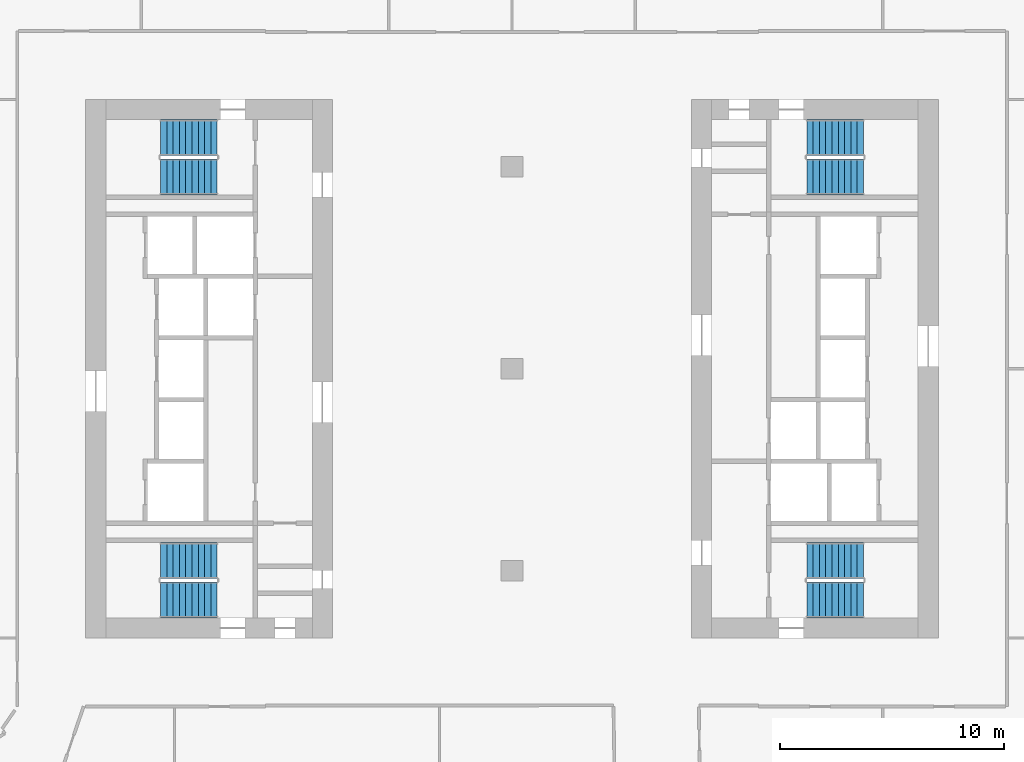
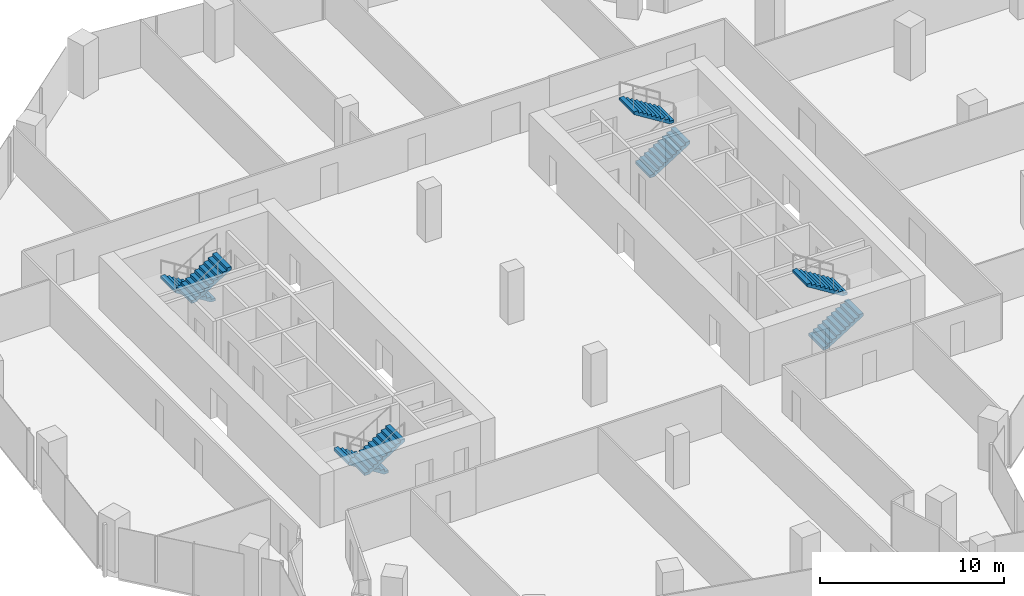
# One storey, part 23 of 24: 8 stair flights, 4 elements without a shape of their own.
"""IFC4 building model written with IfcOpenShell, lengths in metres."""

from ifc_helpers import new_model, si_unit, direction, frame, origin, place, context, subcontext, project, spatial, polyline, outline, extrude, material, type_object, element, aggregate, save


model = new_model("IFC4")

# Units and contexts
model_context = context("Model", 3, precision=1e-05, world=origin(), true_north=direction((0.0, 1.0)))
body_context = subcontext(model_context, "Body", "Model", "MODEL_VIEW")
ifc_project = project(units=[si_unit("LENGTHUNIT", "METRE"), si_unit("AREAUNIT", "SQUARE_METRE"), si_unit("VOLUMEUNIT", "CUBIC_METRE"), si_unit("PLANEANGLEUNIT", "RADIAN"), si_unit("MASSUNIT", "GRAM", prefix="KILO")], contexts=[model_context])

# Site, building, storey
site_placement = place(None, origin())
site = spatial("IfcSite", under=ifc_project, at=site_placement, CompositionType="ELEMENT")
building_placement = place(site_placement, origin())
building = spatial("IfcBuilding", under=site, at=building_placement, Name="Orlundy Tower", CompositionType="ELEMENT")
storey_placement = place(building_placement, frame((0.0, 0.0, 174.10009765625)))
storey = spatial("IfcBuildingStorey", under=building, at=storey_placement, Name="L45", CompositionType="ELEMENT", Elevation=174.10009765625)

# Stair, stair flights
ifc_material_1 = material(Name="Concrete C50/60", Category="concrete")
stair_type = type_object("IfcStairType", Name="Exit Stair 20 risers", PredefinedType="HALF_TURN_STAIR", material=ifc_material_1)
stair_1_placement = place(storey_placement, origin())
stair_1 = element("IfcStair", 1, at=stair_1_placement, inside=storey, type_object=stair_type, Name="L45 Exit Stair ST-W1", PredefinedType="HALF_TURN_STAIR")
ifc_material_2 = material(Name="Concrete C50/60", Category="concrete")
stair_flight_type = type_object("IfcStairFlightType", Name="Stair Flight 10 risers", PredefinedType="STRAIGHT", material=ifc_material_2)
stair_flight_1_placement = place(storey_placement, frame((-13.139892578125, 10.300048828125, 0.0), z_axis=(0.0, 0.0, 1.0), x_axis=(-1.0, 0.0, 0.0)))
stair_flight_1 = element("IfcStairFlight", 2, at=stair_flight_1_placement, type_object=stair_flight_type, Name="ST-W1 flight 1", NumberOfRisers=10, NumberOfTreads=9, PredefinedType="STRAIGHT", RiserHeight=0.175, TreadLength=0.28, context=body_context, shape_type="SweptSolid", body=[
    extrude(outline(polyline([(0.0, 0.0), (0.0, 0.175048828125), (0.280029296875, 0.175048828125), (0.280029296875, 0.35009765625), (0.56005859375, 0.35009765625), (0.56005859375, 0.52490234375), (0.840087890625, 0.52490234375), (0.840087890625, 0.699951171875), (1.1201171875, 0.699951171875), (1.1201171875, 0.875), (1.39990234375, 0.875), (1.39990234375, 1.050048828125), (1.679931640625, 1.050048828125), (1.679931640625, 1.22509765625), (1.9599609375, 1.22509765625), (1.9599609375, 1.39990234375), (2.239990234375, 1.39990234375), (2.239990234375, 1.574951171875), (2.52001953125, 1.574951171875), (2.52001953125, 1.75), (2.52001953125, 1.398193359375), (0.28271484375, 0.0), (0.0, 0.0)])), frame((0.0, 0.800048828125, 0.0), z_axis=(0.0, -1.0, 0.0), x_axis=(1.0, 0.0, 0.0)), (0.0, 0.0, 1.0), 1.60009765625),
])
stair_flight_2_placement = place(storey_placement, frame((-15.659912109375, 8.550048828125, 1.75), z_axis=(0.0, 0.0, 1.0), x_axis=(1.0, 0.0, 0.0)))
stair_flight_2 = element("IfcStairFlight", 3, at=stair_flight_2_placement, type_object=stair_flight_type, Name="ST-W1 flight 2", NumberOfRisers=10, NumberOfTreads=9, PredefinedType="STRAIGHT", RiserHeight=0.175, TreadLength=0.28, context=body_context, shape_type="SweptSolid", body=[
    extrude(outline(polyline([(0.0, 0.0), (0.0, 0.175048828125), (0.280029296875, 0.175048828125), (0.280029296875, 0.35009765625), (0.56005859375, 0.35009765625), (0.56005859375, 0.52490234375), (0.840087890625, 0.52490234375), (0.840087890625, 0.699951171875), (1.1201171875, 0.699951171875), (1.1201171875, 0.875), (1.39990234375, 0.875), (1.39990234375, 1.050048828125), (1.679931640625, 1.050048828125), (1.679931640625, 1.22509765625), (1.9599609375, 1.22509765625), (1.9599609375, 1.39990234375), (2.239990234375, 1.39990234375), (2.239990234375, 1.574951171875), (2.52001953125, 1.574951171875), (2.52001953125, 1.75), (2.52001953125, 1.398193359375), (0.28271484375, 0.0), (0.0, 0.0)])), frame((0.0, 0.800048828125, 0.0), z_axis=(0.0, -1.0, 0.0), x_axis=(1.0, 0.0, 0.0)), (0.0, 0.0, 1.0), 1.60009765625),
])
aggregate(stair_1, [stair_flight_1, stair_flight_2])

stair_2_placement = place(storey_placement, origin())
stair_2 = element("IfcStair", 4, at=stair_2_placement, inside=storey, type_object=stair_type, Name="L45 Exit Stair ST-W2", PredefinedType="HALF_TURN_STAIR")
stair_flight_3_placement = place(storey_placement, frame((-13.139892578125, -8.550048828125, 0.0), z_axis=(0.0, 0.0, 1.0), x_axis=(-1.0, 0.0, 0.0)))
stair_flight_3 = element("IfcStairFlight", 5, at=stair_flight_3_placement, type_object=stair_flight_type, Name="ST-W2 flight 1", NumberOfRisers=10, NumberOfTreads=9, PredefinedType="STRAIGHT", RiserHeight=0.175, TreadLength=0.28, context=body_context, shape_type="SweptSolid", body=[
    extrude(outline(polyline([(0.0, 0.0), (0.0, 0.175048828125), (0.280029296875, 0.175048828125), (0.280029296875, 0.35009765625), (0.56005859375, 0.35009765625), (0.56005859375, 0.52490234375), (0.840087890625, 0.52490234375), (0.840087890625, 0.699951171875), (1.1201171875, 0.699951171875), (1.1201171875, 0.875), (1.39990234375, 0.875), (1.39990234375, 1.050048828125), (1.679931640625, 1.050048828125), (1.679931640625, 1.22509765625), (1.9599609375, 1.22509765625), (1.9599609375, 1.39990234375), (2.239990234375, 1.39990234375), (2.239990234375, 1.574951171875), (2.52001953125, 1.574951171875), (2.52001953125, 1.75), (2.52001953125, 1.398193359375), (0.28271484375, 0.0), (0.0, 0.0)])), frame((0.0, 0.800048828125, 0.0), z_axis=(0.0, -1.0, 0.0), x_axis=(1.0, 0.0, 0.0)), (0.0, 0.0, 1.0), 1.60009765625),
])
stair_flight_4_placement = place(storey_placement, frame((-15.659912109375, -10.300048828125, 1.75), z_axis=(0.0, 0.0, 1.0), x_axis=(1.0, 0.0, 0.0)))
stair_flight_4 = element("IfcStairFlight", 6, at=stair_flight_4_placement, type_object=stair_flight_type, Name="ST-W2 flight 2", NumberOfRisers=10, NumberOfTreads=9, PredefinedType="STRAIGHT", RiserHeight=0.175, TreadLength=0.28, context=body_context, shape_type="SweptSolid", body=[
    extrude(outline(polyline([(0.0, 0.0), (0.0, 0.175048828125), (0.280029296875, 0.175048828125), (0.280029296875, 0.35009765625), (0.56005859375, 0.35009765625), (0.56005859375, 0.52490234375), (0.840087890625, 0.52490234375), (0.840087890625, 0.699951171875), (1.1201171875, 0.699951171875), (1.1201171875, 0.875), (1.39990234375, 0.875), (1.39990234375, 1.050048828125), (1.679931640625, 1.050048828125), (1.679931640625, 1.22509765625), (1.9599609375, 1.22509765625), (1.9599609375, 1.39990234375), (2.239990234375, 1.39990234375), (2.239990234375, 1.574951171875), (2.52001953125, 1.574951171875), (2.52001953125, 1.75), (2.52001953125, 1.398193359375), (0.28271484375, 0.0), (0.0, 0.0)])), frame((0.0, 0.800048828125, 0.0), z_axis=(0.0, -1.0, 0.0), x_axis=(1.0, 0.0, 0.0)), (0.0, 0.0, 1.0), 1.60009765625),
])
aggregate(stair_2, [stair_flight_3, stair_flight_4])

stair_3_placement = place(storey_placement, origin())
stair_3 = element("IfcStair", 7, at=stair_3_placement, inside=storey, type_object=stair_type, Name="L45 Exit Stair ST-E1", PredefinedType="HALF_TURN_STAIR")
stair_flight_5_placement = place(storey_placement, frame((13.139892578125, -10.300048828125, 0.0), z_axis=(0.0, 0.0, 1.0), x_axis=(1.0, 0.0, 0.0)))
stair_flight_5 = element("IfcStairFlight", 8, at=stair_flight_5_placement, type_object=stair_flight_type, Name="ST-E1 flight 1", NumberOfRisers=10, NumberOfTreads=9, PredefinedType="STRAIGHT", RiserHeight=0.175, TreadLength=0.28, context=body_context, shape_type="SweptSolid", body=[
    extrude(outline(polyline([(0.0, 0.0), (0.0, 0.175048828125), (0.280029296875, 0.175048828125), (0.280029296875, 0.35009765625), (0.56005859375, 0.35009765625), (0.56005859375, 0.52490234375), (0.840087890625, 0.52490234375), (0.840087890625, 0.699951171875), (1.1201171875, 0.699951171875), (1.1201171875, 0.875), (1.39990234375, 0.875), (1.39990234375, 1.050048828125), (1.679931640625, 1.050048828125), (1.679931640625, 1.22509765625), (1.9599609375, 1.22509765625), (1.9599609375, 1.39990234375), (2.239990234375, 1.39990234375), (2.239990234375, 1.574951171875), (2.52001953125, 1.574951171875), (2.52001953125, 1.75), (2.52001953125, 1.398193359375), (0.28271484375, 0.0), (0.0, 0.0)])), frame((0.0, 0.800048828125, 0.0), z_axis=(0.0, -1.0, 0.0), x_axis=(1.0, 0.0, 0.0)), (0.0, 0.0, 1.0), 1.60009765625),
])
stair_flight_6_placement = place(storey_placement, frame((15.659912109375, -8.550048828125, 1.75), z_axis=(0.0, 0.0, 1.0), x_axis=(-1.0, 0.0, 0.0)))
stair_flight_6 = element("IfcStairFlight", 9, at=stair_flight_6_placement, type_object=stair_flight_type, Name="ST-E1 flight 2", NumberOfRisers=10, NumberOfTreads=9, PredefinedType="STRAIGHT", RiserHeight=0.175, TreadLength=0.28, context=body_context, shape_type="SweptSolid", body=[
    extrude(outline(polyline([(0.0, 0.0), (0.0, 0.175048828125), (0.280029296875, 0.175048828125), (0.280029296875, 0.35009765625), (0.56005859375, 0.35009765625), (0.56005859375, 0.52490234375), (0.840087890625, 0.52490234375), (0.840087890625, 0.699951171875), (1.1201171875, 0.699951171875), (1.1201171875, 0.875), (1.39990234375, 0.875), (1.39990234375, 1.050048828125), (1.679931640625, 1.050048828125), (1.679931640625, 1.22509765625), (1.9599609375, 1.22509765625), (1.9599609375, 1.39990234375), (2.239990234375, 1.39990234375), (2.239990234375, 1.574951171875), (2.52001953125, 1.574951171875), (2.52001953125, 1.75), (2.52001953125, 1.398193359375), (0.28271484375, 0.0), (0.0, 0.0)])), frame((0.0, 0.800048828125, 0.0), z_axis=(0.0, -1.0, 0.0), x_axis=(1.0, 0.0, 0.0)), (0.0, 0.0, 1.0), 1.60009765625),
])
aggregate(stair_3, [stair_flight_5, stair_flight_6])

stair_4_placement = place(storey_placement, origin())
stair_4 = element("IfcStair", 10, at=stair_4_placement, inside=storey, type_object=stair_type, Name="L45 Exit Stair ST-E2", PredefinedType="HALF_TURN_STAIR")
stair_flight_7_placement = place(storey_placement, frame((13.139892578125, 8.550048828125, 0.0), z_axis=(0.0, 0.0, 1.0), x_axis=(1.0, 0.0, 0.0)))
stair_flight_7 = element("IfcStairFlight", 11, at=stair_flight_7_placement, type_object=stair_flight_type, Name="ST-E2 flight 1", NumberOfRisers=10, NumberOfTreads=9, PredefinedType="STRAIGHT", RiserHeight=0.175, TreadLength=0.28, context=body_context, shape_type="SweptSolid", body=[
    extrude(outline(polyline([(0.0, 0.0), (0.0, 0.175048828125), (0.280029296875, 0.175048828125), (0.280029296875, 0.35009765625), (0.56005859375, 0.35009765625), (0.56005859375, 0.52490234375), (0.840087890625, 0.52490234375), (0.840087890625, 0.699951171875), (1.1201171875, 0.699951171875), (1.1201171875, 0.875), (1.39990234375, 0.875), (1.39990234375, 1.050048828125), (1.679931640625, 1.050048828125), (1.679931640625, 1.22509765625), (1.9599609375, 1.22509765625), (1.9599609375, 1.39990234375), (2.239990234375, 1.39990234375), (2.239990234375, 1.574951171875), (2.52001953125, 1.574951171875), (2.52001953125, 1.75), (2.52001953125, 1.398193359375), (0.28271484375, 0.0), (0.0, 0.0)])), frame((0.0, 0.800048828125, 0.0), z_axis=(0.0, -1.0, 0.0), x_axis=(1.0, 0.0, 0.0)), (0.0, 0.0, 1.0), 1.60009765625),
])
stair_flight_8_placement = place(storey_placement, frame((15.659912109375, 10.300048828125, 1.75), z_axis=(0.0, 0.0, 1.0), x_axis=(-1.0, 0.0, 0.0)))
stair_flight_8 = element("IfcStairFlight", 12, at=stair_flight_8_placement, type_object=stair_flight_type, Name="ST-E2 flight 2", NumberOfRisers=10, NumberOfTreads=9, PredefinedType="STRAIGHT", RiserHeight=0.175, TreadLength=0.28, context=body_context, shape_type="SweptSolid", body=[
    extrude(outline(polyline([(0.0, 0.0), (0.0, 0.175048828125), (0.280029296875, 0.175048828125), (0.280029296875, 0.35009765625), (0.56005859375, 0.35009765625), (0.56005859375, 0.52490234375), (0.840087890625, 0.52490234375), (0.840087890625, 0.699951171875), (1.1201171875, 0.699951171875), (1.1201171875, 0.875), (1.39990234375, 0.875), (1.39990234375, 1.050048828125), (1.679931640625, 1.050048828125), (1.679931640625, 1.22509765625), (1.9599609375, 1.22509765625), (1.9599609375, 1.39990234375), (2.239990234375, 1.39990234375), (2.239990234375, 1.574951171875), (2.52001953125, 1.574951171875), (2.52001953125, 1.75), (2.52001953125, 1.398193359375), (0.28271484375, 0.0), (0.0, 0.0)])), frame((0.0, 0.800048828125, 0.0), z_axis=(0.0, -1.0, 0.0), x_axis=(1.0, 0.0, 0.0)), (0.0, 0.0, 1.0), 1.60009765625),
])
aggregate(stair_4, [stair_flight_7, stair_flight_8])

save(model, "model.ifc")
